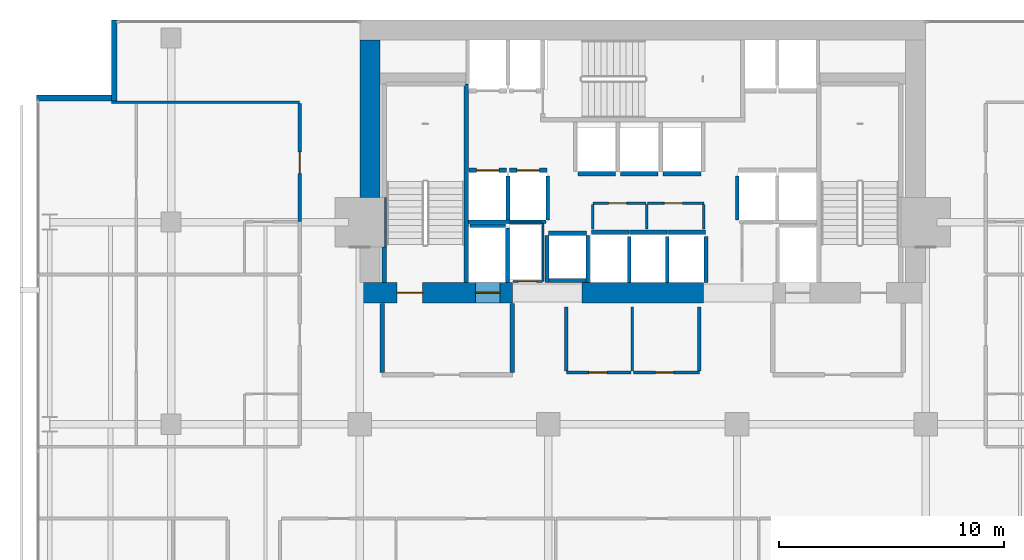
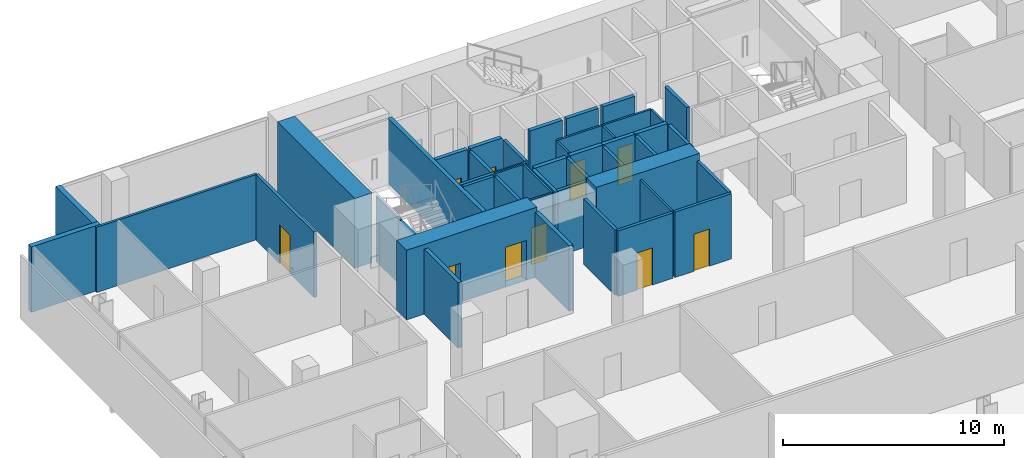
# One storey, part 36 of 40: 46 walls, 10 doors, 10 openings.
"""IFC4 building model written with IfcOpenShell, lengths in metres."""

import ifcopenshell
import ifcopenshell.guid

model = None  # the IFC model being written
_history = None  # IfcOwnerHistory: only IFC2X3 demands one
_inside = {}  # id of a spatial element -> (the spatial element, [elements in it])
_under = {}  # id of a project, library or spatial element -> (it, [spatial elements below it])
_declared = {}  # id of a project -> (the project, [libraries it declares])
_typed = {}  # id of a type object -> (the type object, [elements of that type])
_made_of = {}  # id of a material, layer set ... -> (it, [elements and type objects made of it])


def new_model(schema):
    """Start an empty IFC model of exactly this schema.

    Asked for "IFC4X3", IfcOpenShell would pick the latest addendum, in which some entities
    have other attributes; the version numbers below select the first issue.
    IFC2X3 requires an IfcOwnerHistory on every rooted entity: one is made here for all.
    """
    global model, _history
    if schema == "IFC4X3":
        model = ifcopenshell.file(schema_version=(4, 3, 0, 0))
    else:
        model = ifcopenshell.file(schema=schema)
    _inside.clear()
    _under.clear()
    _declared.clear()
    _typed.clear()
    _made_of.clear()
    _history = None
    if model.schema == "IFC2X3":
        org = make("IfcOrganization", Name="unknown")
        user = make(
            "IfcPersonAndOrganization",
            ThePerson=make("IfcPerson", FamilyName="unknown"),
            TheOrganization=org,
        )
        app = make(
            "IfcApplication",
            ApplicationDeveloper=org,
            Version="unknown",
            ApplicationFullName="unknown",
            ApplicationIdentifier="unknown",
        )
        _history = make(
            "IfcOwnerHistory",
            OwningUser=user,
            OwningApplication=app,
            ChangeAction="ADDED",
            CreationDate=0,
        )
    return model


def make(cls, **values):
    """One entity of the class cls with the attributes given. An attribute that is None is left unset."""
    return model.create_entity(
        cls, **{name: value for name, value in values.items() if value is not None}
    )


def rooted(cls, **values):
    """An entity with a GlobalId (a new one), such as an element, a storey or a relation."""
    return make(cls, GlobalId=ifcopenshell.guid.new(), OwnerHistory=_history, **values)


def si_unit(unit_type, name, prefix=None):
    """IfcSIUnit, for example si_unit("LENGTHUNIT", "METRE", prefix="MILLI")."""
    return make("IfcSIUnit", UnitType=unit_type, Prefix=prefix, Name=name)


def assignment(units):
    """IfcUnitAssignment: the units of a project."""
    return None if units is None else make("IfcUnitAssignment", Units=units)


def point(xyz):
    """IfcCartesianPoint."""
    return None if xyz is None else make("IfcCartesianPoint", Coordinates=xyz)


def direction(xyz):
    """IfcDirection."""
    return None if xyz is None else make("IfcDirection", DirectionRatios=xyz)


def frame(location, z_axis=None, x_axis=None):
    """IfcAxis2Placement3D, a coordinate frame: its origin and axes. An axis left out is left unset."""
    return make(
        "IfcAxis2Placement3D",
        Location=point(location),
        Axis=direction(z_axis),
        RefDirection=direction(x_axis),
    )


def frame_2d(location, x_axis=None):
    """IfcAxis2Placement2D, a coordinate frame in the plane: its origin and x axis."""
    return make(
        "IfcAxis2Placement2D", Location=point(location), RefDirection=direction(x_axis)
    )


def origin():
    """The frame at (0, 0, 0) with its axes left unset."""
    return frame((0.0, 0.0, 0.0))


def place(relative_to, where):
    """IfcLocalPlacement: puts the frame where relative to a parent placement (None: the world)."""
    return make(
        "IfcLocalPlacement", PlacementRelTo=relative_to, RelativePlacement=where
    )


def context(
    kind, dimensions, precision=None, world=None, true_north=None, identifier=None
):
    """IfcGeometricRepresentationContext, for example the 3D "Model" context."""
    return make(
        "IfcGeometricRepresentationContext",
        ContextIdentifier=identifier,
        ContextType=kind,
        CoordinateSpaceDimension=dimensions,
        Precision=precision,
        WorldCoordinateSystem=world,
        TrueNorth=true_north,
    )


def subcontext(parent, identifier, kind, view, scale=None):
    """IfcGeometricRepresentationSubContext, for example "Body" below "Model"."""
    return make(
        "IfcGeometricRepresentationSubContext",
        ContextIdentifier=identifier,
        ContextType=kind,
        ParentContext=parent,
        TargetScale=scale,
        TargetView=view,
    )


def project(units=None, contexts=None):
    """IfcProject with its units and contexts."""
    return rooted(
        "IfcProject",
        Name="project",
        RepresentationContexts=contexts,
        UnitsInContext=assignment(units),
    )


def spatial(cls, under=None, at=None, **own):
    """A site, building, storey or space (cls), placed at a placement, below another one or the project."""
    s = rooted(cls, ObjectPlacement=at, **own)
    if under is not None:
        _under.setdefault(under.id(), (under, []))[1].append(s)
    return s


def profile(cls, at=None, kind="AREA", **sizes):
    """A parametric profile (cls). Its sizes go by their IFC names, for example OverallWidth=200.0."""
    return make(cls, ProfileType=kind, Position=at, **sizes)


def rectangle(**sizes):
    """IfcRectangleProfileDef."""
    return profile("IfcRectangleProfileDef", **sizes)


def extrude(swept, where, along, depth):
    """IfcExtrudedAreaSolid: the profile swept, set in the frame where, extruded along a direction by depth."""
    return make(
        "IfcExtrudedAreaSolid",
        SweptArea=swept,
        Position=where,
        ExtrudedDirection=direction(along),
        Depth=depth,
    )


def shape(context_of_items, identifier, shape_type, items):
    """IfcShapeRepresentation: the items that make up one representation, for example the "Body"."""
    return make(
        "IfcShapeRepresentation",
        ContextOfItems=context_of_items,
        RepresentationIdentifier=identifier,
        RepresentationType=shape_type,
        Items=items,
    )


def material(Name=None, Category=None):
    """IfcMaterial."""
    return make("IfcMaterial", Name=Name, Category=Category)


def layer(
    of_material, thickness, ventilated=None, Name=None, Category=None, Priority=None
):
    """IfcMaterialLayer: one layer of a wall or slab, of a material (None: an air gap)."""
    return make(
        "IfcMaterialLayer",
        Material=of_material,
        LayerThickness=thickness,
        IsVentilated=ventilated,
        Name=Name,
        Category=Category,
        Priority=Priority,
    )


def layer_set(layers, Name=None):
    """IfcMaterialLayerSet."""
    return make("IfcMaterialLayerSet", MaterialLayers=layers, LayerSetName=Name)


def made_of(thing, what):
    """Note that an element or type object is made of a material, layer set ...; save() writes the relation."""
    if what is not None:
        _made_of.setdefault(what.id(), (what, []))[1].append(thing)
    return thing


def type_object(cls, material=None, **own):
    """A type object (cls), such as IfcWallType, which elements share."""
    return made_of(rooted(cls, **own), material)


def element(
    cls,
    number,
    at=None,
    inside=None,
    cuts=None,
    type_object=None,
    material=None,
    context=None,
    identifier="Body",
    shape_type=None,
    held_by="IfcProductDefinitionShape",
    body=None,
    shapes=None,
    **own,
):
    """One element of the class cls, such as IfcWall. Its Tag is "e" and its number.

    at: its placement. inside: the storey or other place that contains it. cuts: it is an
    opening in that element (IfcRelVoidsElement). A single representation is given by context,
    identifier, shape_type and body (its items); several are given by shapes. held_by: the class
    of the entity that holds the representations. save() writes the other relations.
    """
    e = rooted(cls, Tag="e%d" % number, ObjectPlacement=at, **own)
    if body is not None:
        shapes = [shape(context, identifier, shape_type, body)]
    if shapes is not None:
        e.Representation = make(held_by, Representations=shapes)
    if inside is not None:
        _inside.setdefault(inside.id(), (inside, []))[1].append(e)
    if cuts is not None:
        rooted(
            "IfcRelVoidsElement", RelatingBuildingElement=cuts, RelatedOpeningElement=e
        )
    if type_object is not None:
        _typed.setdefault(type_object.id(), (type_object, []))[1].append(e)
    return made_of(e, material)


def fill(opening, filler):
    """IfcRelFillsElement: the door or window that sits in an opening."""
    return rooted(
        "IfcRelFillsElement",
        RelatingOpeningElement=opening,
        RelatedBuildingElement=filler,
    )


def aggregate(whole, parts):
    """IfcRelAggregates: a whole, such as a stair, and the parts it consists of."""
    return rooted("IfcRelAggregates", RelatingObject=whole, RelatedObjects=parts)


def save(model, path):
    """Write the relations noted so far, then the file.

    IfcRelAggregates (storeys below a building ...), IfcRelContainedInSpatialStructure (elements
    in a storey), IfcRelDefinesByType, IfcRelAssociatesMaterial and IfcRelDeclares: one each for
    every whole, place, type object, material and project.
    """
    for whole, parts in _under.values():
        aggregate(whole, parts)
    for where, things in _inside.values():
        rooted(
            "IfcRelContainedInSpatialStructure",
            RelatedElements=things,
            RelatingStructure=where,
        )
    for kind, things in _typed.values():
        rooted("IfcRelDefinesByType", RelatedObjects=things, RelatingType=kind)
    for what, things in _made_of.values():
        rooted("IfcRelAssociatesMaterial", RelatedObjects=things, RelatingMaterial=what)
    for by, libraries in _declared.values():
        rooted("IfcRelDeclares", RelatingContext=by, RelatedDefinitions=libraries)
    model.write(path)


model = new_model("IFC4")

# Units and contexts
model_context = context("Model", 3, precision=1e-05, world=origin(), true_north=direction((0.0, 1.0)))
body_context = subcontext(model_context, "Body", "Model", "MODEL_VIEW")
ifc_project = project(units=[si_unit("LENGTHUNIT", "METRE"), si_unit("AREAUNIT", "SQUARE_METRE"), si_unit("VOLUMEUNIT", "CUBIC_METRE"), si_unit("PLANEANGLEUNIT", "RADIAN"), si_unit("MASSUNIT", "GRAM", prefix="KILO")], contexts=[model_context])

# Site, building, storey
site_placement = place(None, origin())
site = spatial("IfcSite", under=ifc_project, at=site_placement, CompositionType="ELEMENT")
building_placement = place(site_placement, origin())
building = spatial("IfcBuilding", under=site, at=building_placement, Name="Maruvema Waterfront Hotel and Observation Tower", CompositionType="ELEMENT")
storey_placement = place(building_placement, frame((0.0, 0.0, 38.5)))
storey = spatial("IfcBuildingStorey", under=building, at=storey_placement, Name="L08", CompositionType="ELEMENT", Elevation=38.5)

# Wall, opening, door
ifc_material_1 = material(Name="Twin-stud acoustic gypsum drywall", Category="gypsum")
ifc_layer_1 = layer(ifc_material_1, 0.14990234375, Name="Acoustic Corridor and Suite Demising Wall 150 mm")
ifc_layer_set_1 = layer_set([ifc_layer_1], Name="Twin-stud acoustic gypsum drywall")
wall_type_1 = type_object("IfcWallType", Name="Acoustic Corridor and Suite Demising Wall 150 mm", PredefinedType="PARTITIONING", material=ifc_layer_set_1)
wall_1_placement = place(storey_placement, frame((34.39990234375, 38.300048828125, 0.0), z_axis=(0.0, 0.0, 1.0), x_axis=(1.0, 0.0, 0.0)))
wall_1 = element("IfcWall", 1, at=wall_1_placement, inside=storey, type_object=wall_type_1, Name="L08 Core Apron K2A South 017", PredefinedType="PARTITIONING", context=body_context, shape_type="SweptSolid", body=[
    extrude(rectangle(XDim=2.880126953125, YDim=0.14990234375, at=frame_2d((1.43994140625, 0.0))), origin(), (0.0, 0.0, 1.0), 3.610107421875),
])
opening_1_placement = place(wall_1_placement, frame((1.0, 0.0, 0.0)))
opening_1 = element("IfcOpeningElement", 2, at=opening_1_placement, cuts=wall_1, Name="Opening DR-080", PredefinedType="OPENING", context=body_context, shape_type="SweptSolid", body=[
    extrude(rectangle(XDim=0.800048828125, YDim=2.050048828125, at=frame_2d((0.39990234375, 1.02490234375))), frame((0.0, 0.0849609375, 0.0), z_axis=(0.0, -1.0, 0.0), x_axis=(1.0, 0.0, 0.0)), (0.0, 0.0, 1.0), 0.169921875),
])
ifc_material_2 = material(Name="Powder-coated steel access leaf", Category="steel")
door_type_1 = type_object("IfcDoorType", Name="Riser and Service Cupboard Door 800x2050 mm", OperationType="NOTDEFINED", PredefinedType="DOOR", material=ifc_material_2)
door_1_placement = place(opening_1_placement, frame((0.800048828125, 0.0, 0.0), z_axis=(0.0, 0.0, 1.0), x_axis=(-1.0, 0.0, 0.0)))
door_1 = element("IfcDoor", 3, at=door_1_placement, inside=storey, type_object=door_type_1, Name="L08 Core Ice Alcove Door", OperationType="SINGLE_SWING_LEFT", OverallHeight=2.050048828125, OverallWidth=0.800048828125, PredefinedType="DOOR", context=body_context, shape_type="SweptSolid", body=[
    extrude(rectangle(XDim=0.800048828125, YDim=2.050048828125, at=frame_2d((0.39990234375, 1.02490234375))), frame((0.0, 0.02490234375, 0.0), z_axis=(0.0, -1.0, 0.0), x_axis=(1.0, 0.0, 0.0)), (0.0, 0.0, 1.0), 0.050048828125),
])
fill(opening_1, door_1)

wall_2_placement = place(storey_placement, frame((37.3798828125, 38.300048828125, 0.0), z_axis=(0.0, 0.0, 1.0), x_axis=(1.0, 0.0, 0.0)))
wall_2 = element("IfcWall", 4, at=wall_2_placement, inside=storey, type_object=wall_type_1, Name="L08 Core Apron K2B South 018", PredefinedType="PARTITIONING", context=body_context, shape_type="SweptSolid", body=[
    extrude(rectangle(XDim=2.940185546875, YDim=0.14990234375, at=frame_2d((1.47021484375, 0.0))), origin(), (0.0, 0.0, 1.0), 3.610107421875),
])
opening_2_placement = place(wall_2_placement, frame((1.0, 0.0, 0.0)))
opening_2 = element("IfcOpeningElement", 5, at=opening_2_placement, cuts=wall_2, Name="Opening DR-080", PredefinedType="OPENING", context=body_context, shape_type="SweptSolid", body=[
    extrude(rectangle(XDim=0.800048828125, YDim=2.050048828125, at=frame_2d((0.39990234375, 1.02490234375))), frame((0.0, 0.0849609375, 0.0), z_axis=(0.0, -1.0, 0.0), x_axis=(1.0, 0.0, 0.0)), (0.0, 0.0, 1.0), 0.169921875),
])
door_2_placement = place(opening_2_placement, frame((0.800048828125, 0.0, 0.0), z_axis=(0.0, 0.0, 1.0), x_axis=(-1.0, 0.0, 0.0)))
door_2 = element("IfcDoor", 6, at=door_2_placement, inside=storey, type_object=door_type_1, Name="L08 Core Valet Closet Door", OperationType="SINGLE_SWING_RIGHT", OverallHeight=2.050048828125, OverallWidth=0.800048828125, PredefinedType="DOOR", context=body_context, shape_type="SweptSolid", body=[
    extrude(rectangle(XDim=0.800048828125, YDim=2.050048828125, at=frame_2d((0.39990234375, 1.02490234375))), frame((0.0, 0.02490234375, 0.0), z_axis=(0.0, -1.0, 0.0), x_axis=(1.0, 0.0, 0.0)), (0.0, 0.0, 1.0), 0.050048828125),
])
fill(opening_2, door_2)

# Walls
for number, where, z_axis, x_axis, name in (
    (7, (34.39990234375, 38.3798828125, 0.0), (0.0, 0.0, 1.0), (0.0, 1.0, 0.0), "L08 Core Apron K2 West 019"),
    (8, (40.320068359375, 38.3798828125, 0.0), (0.0, 0.0, 1.0), (0.0, 1.0, 0.0), "L08 Core Apron K2 East 021"),
):
    element("IfcWall", number, at=place(storey_placement, frame(where, z_axis=z_axis, x_axis=x_axis)), inside=storey, type_object=wall_type_1, Name=name, PredefinedType="PARTITIONING", context=body_context, shape_type="SweptSolid", body=[
        extrude(rectangle(XDim=2.840087890625, YDim=0.14990234375, at=frame_2d((1.419921875, 0.0))), origin(), (0.0, 0.0, 1.0), 3.610107421875),
    ])

# Wall, opening, door
wall_3_placement = place(storey_placement, frame((22.52001953125, 45.018798828125, 0.0), z_axis=(0.0, 0.0, 1.0), x_axis=(0.0, 1.0, 0.0)))
wall_3 = element("IfcWall", 9, at=wall_3_placement, inside=storey, type_object=wall_type_1, Name="L08 Room L08-NW2 Corridor Wall 140", PredefinedType="PARTITIONING", context=body_context, shape_type="SweptSolid", body=[
    extrude(rectangle(XDim=5.2587890625, YDim=0.14990234375, at=frame_2d((2.62939453125, 0.0))), origin(), (0.0, 0.0, 1.0), 3.610107421875),
])
opening_3_placement = place(wall_3_placement, frame((2.154296875, 0.0, 0.0)))
opening_3 = element("IfcOpeningElement", 10, at=opening_3_placement, cuts=wall_3, Name="Opening DR-095", PredefinedType="OPENING", context=body_context, shape_type="SweptSolid", body=[
    extrude(rectangle(XDim=0.949951171875, YDim=2.14990234375, at=frame_2d((0.47509765625, 1.074951171875))), frame((0.0, 0.0849609375, 0.0), z_axis=(0.0, -1.0, 0.0), x_axis=(1.0, 0.0, 0.0)), (0.0, 0.0, 1.0), 0.169921875),
])
ifc_material_3 = material(Name="Acoustic solid-core hardwood timber leaf", Category="wood")
door_type_2 = type_object("IfcDoorType", Name="Guestroom Entrance Fire Door 950x2150 mm", OperationType="NOTDEFINED", PredefinedType="DOOR", material=ifc_material_3)
door_3_placement = place(opening_3_placement, origin())
door_3 = element("IfcDoor", 11, at=door_3_placement, inside=storey, type_object=door_type_2, Name="L08 Room L08-NW2 Entrance Door", OperationType="SINGLE_SWING_RIGHT", OverallHeight=2.14990234375, OverallWidth=0.949951171875, PredefinedType="DOOR", context=body_context, shape_type="SweptSolid", body=[
    extrude(rectangle(XDim=0.949951171875, YDim=2.14990234375, at=frame_2d((0.47509765625, 1.074951171875))), frame((0.0, 0.02490234375, 0.0), z_axis=(0.0, -1.0, 0.0), x_axis=(1.0, 0.0, 0.0)), (0.0, 0.0, 1.0), 0.050048828125),
])
fill(opening_3, door_3)

# Walls
ifc_material_4 = material(Name="Precast concrete C45/55", Category="concrete")
ifc_layer_2 = layer(ifc_material_4, 0.199951171875, Name="Core Shaft and Stairwell Enclosure Wall 200 mm")
ifc_layer_set_2 = layer_set([ifc_layer_2], Name="Precast concrete C45/55")
wall_type_2 = type_object("IfcWallType", Name="Core Shaft and Stairwell Enclosure Wall 200 mm", PredefinedType="SOLIDWALL", material=ifc_layer_set_2)
wall_4_placement = place(storey_placement, frame((29.949951171875, 42.300048828125, 0.0), z_axis=(0.0, 0.0, 1.0), x_axis=(0.0, 1.0, 0.0)))
element("IfcWall", 12, at=wall_4_placement, inside=storey, type_object=wall_type_2, Name="L08 Stairwell ST-01 East Shaft Wall", PredefinedType="SOLIDWALL", context=body_context, shape_type="SweptSolid", body=[
    extrude(rectangle(XDim=8.849853515625, YDim=0.199951171875, at=frame_2d((4.4248046875, 0.0))), origin(), (0.0, 0.0, 1.0), 3.610107421875),
])
wall_5_placement = place(storey_placement, frame((26.300048828125, 42.300048828125, 0.0), z_axis=(0.0, 0.0, 1.0), x_axis=(0.0, 1.0, 0.0)))
element("IfcWall", 13, at=wall_5_placement, inside=storey, type_object=wall_type_2, Name="L08 Stairwell ST-01 Shaft Lining Wall", PredefinedType="SOLIDWALL", context=body_context, shape_type="SweptSolid", body=[
    extrude(rectangle(XDim=1.579833984375, YDim=0.199951171875, at=frame_2d((0.7900390625, 0.0))), origin(), (0.0, 0.0, 1.0), 3.610107421875),
])

# Wall, opening, door
wall_6_placement = place(storey_placement, frame((30.06005859375, 47.300048828125, 0.0), z_axis=(0.0, 0.0, 1.0), x_axis=(1.0, 0.0, 0.0)))
wall_6 = element("IfcWall", 14, at=wall_6_placement, inside=storey, type_object=wall_type_2, Name="L08 Lift LF-01 Hoistway Front Wall", PredefinedType="SOLIDWALL", context=body_context, shape_type="SweptSolid", body=[
    extrude(rectangle(XDim=1.679931640625, YDim=0.199951171875, at=frame_2d((0.83984375, 0.0))), origin(), (0.0, 0.0, 1.0), 3.610107421875),
])
opening_4_placement = place(wall_6_placement, frame((0.340087890625, 0.0, 0.0)))
opening_4 = element("IfcOpeningElement", 15, at=opening_4_placement, cuts=wall_6, Name="Opening LD-01", PredefinedType="OPENING", context=body_context, shape_type="SweptSolid", body=[
    extrude(rectangle(XDim=1.0, YDim=2.14990234375, at=frame_2d((0.5, 1.074951171875))), frame((0.0, 0.10986328125, 0.0), z_axis=(0.0, -1.0, 0.0), x_axis=(1.0, 0.0, 0.0)), (0.0, 0.0, 1.0), 0.219970703125),
])
ifc_material_5 = material(Name="Brushed stainless steel Grade 316", Category="steel")
door_type_3 = type_object("IfcDoorType", Name="Passenger Lift Sliding Landing Door 1000x2150 mm", OperationType="SLIDING_TO_LEFT", PredefinedType="DOOR", material=ifc_material_5)
door_4_placement = place(opening_4_placement, origin())
door_4 = element("IfcDoor", 16, at=door_4_placement, inside=storey, type_object=door_type_3, Name="L08 Lift LF-01 Sliding Landing Door", OperationType="SLIDING_TO_LEFT", OverallHeight=2.14990234375, OverallWidth=1.0, PredefinedType="DOOR", context=body_context, shape_type="SweptSolid", body=[
    extrude(rectangle(XDim=1.0, YDim=2.14990234375, at=frame_2d((0.5, 1.074951171875))), frame((0.0, 0.02490234375, 0.0), z_axis=(0.0, -1.0, 0.0), x_axis=(1.0, 0.0, 0.0)), (0.0, 0.0, 1.0), 0.050048828125),
])
fill(opening_4, door_4)

wall_7_placement = place(storey_placement, frame((31.860107421875, 47.300048828125, 0.0), z_axis=(0.0, 0.0, 1.0), x_axis=(1.0, 0.0, 0.0)))
wall_7 = element("IfcWall", 17, at=wall_7_placement, inside=storey, type_object=wall_type_2, Name="L08 Lift LF-02 Hoistway Front Wall", PredefinedType="SOLIDWALL", context=body_context, shape_type="SweptSolid", body=[
    extrude(rectangle(XDim=1.679931640625, YDim=0.199951171875, at=frame_2d((0.83984375, 0.0))), origin(), (0.0, 0.0, 1.0), 3.610107421875),
])
opening_5_placement = place(wall_7_placement, frame((0.340087890625, 0.0, 0.0)))
opening_5 = element("IfcOpeningElement", 18, at=opening_5_placement, cuts=wall_7, Name="Opening LD-01", PredefinedType="OPENING", context=body_context, shape_type="SweptSolid", body=[
    extrude(rectangle(XDim=1.0, YDim=2.14990234375, at=frame_2d((0.5, 1.074951171875))), frame((0.0, 0.10986328125, 0.0), z_axis=(0.0, -1.0, 0.0), x_axis=(1.0, 0.0, 0.0)), (0.0, 0.0, 1.0), 0.219970703125),
])
door_5_placement = place(opening_5_placement, origin())
door_5 = element("IfcDoor", 19, at=door_5_placement, inside=storey, type_object=door_type_3, Name="L08 Lift LF-02 Sliding Landing Door", OperationType="SLIDING_TO_LEFT", OverallHeight=2.14990234375, OverallWidth=1.0, PredefinedType="DOOR", context=body_context, shape_type="SweptSolid", body=[
    extrude(rectangle(XDim=1.0, YDim=2.14990234375, at=frame_2d((0.5, 1.074951171875))), frame((0.0, 0.02490234375, 0.0), z_axis=(0.0, -1.0, 0.0), x_axis=(1.0, 0.0, 0.0)), (0.0, 0.0, 1.0), 0.050048828125),
])
fill(opening_5, door_5)

# Walls
for number, where, z_axis, x_axis, name in (
    (20, (35.510009765625, 44.550048828125, 0.0), (0.0, 0.0, 1.0), (1.0, 0.0, 0.0), "L08 Lift LF-09 Hoistway Front Wall"),
    (21, (37.2099609375, 44.550048828125, 0.0), (0.0, 0.0, 1.0), (1.0, 0.0, 0.0), "L08 Lift LF-10 Hoistway Front Wall"),
):
    element("IfcWall", number, at=place(storey_placement, frame(where, z_axis=z_axis, x_axis=x_axis)), inside=storey, type_object=wall_type_2, Name=name, PredefinedType="SOLIDWALL", context=body_context, shape_type="SweptSolid", body=[
        extrude(rectangle(XDim=1.679931640625, YDim=0.199951171875, at=frame_2d((0.83984375, 0.0))), origin(), (0.0, 0.0, 1.0), 3.610107421875),
    ])
for number, where, z_axis, x_axis, name in (
    (22, (38.909912109375, 44.550048828125, 0.0), (0.0, 0.0, 1.0), (1.0, 0.0, 0.0), "L08 Lift LF-11 Hoistway Front Wall"),
    (23, (34.909912109375, 47.14990234375, 0.0), (0.0, 0.0, 1.0), (1.0, 0.0, 0.0), "L08 Lift LF-12 Hoistway Front Wall"),
):
    element("IfcWall", number, at=place(storey_placement, frame(where, z_axis=z_axis, x_axis=x_axis)), inside=storey, type_object=wall_type_2, Name=name, PredefinedType="SOLIDWALL", context=body_context, shape_type="SweptSolid", body=[
        extrude(rectangle(XDim=1.68017578125, YDim=0.199951171875, at=frame_2d((0.840087890625, 0.0))), origin(), (0.0, 0.0, 1.0), 3.610107421875),
    ])
for number, where, z_axis, x_axis, name in (
    (24, (36.81005859375, 47.14990234375, 0.0), (0.0, 0.0, 1.0), (1.0, 0.0, 0.0), "L08 Lift LF-13 Hoistway Front Wall"),
    (25, (38.7099609375, 47.14990234375, 0.0), (0.0, 0.0, 1.0), (1.0, 0.0, 0.0), "L08 Lift LF-14 Hoistway Front Wall"),
    (26, (33.610107421875, 44.5, 0.0), (0.0, 0.0, 1.0), (1.0, 0.0, 0.0), "L08 Lift LF-15 Hoistway Front Wall"),
):
    element("IfcWall", number, at=place(storey_placement, frame(where, z_axis=z_axis, x_axis=x_axis)), inside=storey, type_object=wall_type_2, Name=name, PredefinedType="SOLIDWALL", context=body_context, shape_type="SweptSolid", body=[
        extrude(rectangle(XDim=1.679931640625, YDim=0.199951171875, at=frame_2d((0.83984375, 0.0))), origin(), (0.0, 0.0, 1.0), 3.610107421875),
    ])

# Wall, openings, doors
ifc_material_6 = material(Name="Concrete C80/95", Category="concrete")
ifc_layer_3 = layer(ifc_material_6, 0.89990234375, Name="Core Shear Wall 900 mm")
ifc_layer_set_3 = layer_set([ifc_layer_3], Name="Concrete C80/95")
wall_type_3 = type_object("IfcWallType", Name="Core Shear Wall 900 mm", PredefinedType="SHEAR", material=ifc_layer_set_3)
wall_8_placement = place(storey_placement, frame((25.199951171875, 41.85009765625, 0.0), z_axis=(0.0, 0.0, 1.0), x_axis=(1.0, 0.0, 0.0)))
wall_8 = element("IfcWall", 27, at=wall_8_placement, inside=storey, type_object=wall_type_3, Name="L08 South-West Core Shear Wall", PredefinedType="SHEAR", context=body_context, shape_type="SweptSolid", body=[
    extrude(rectangle(XDim=6.800048828125, YDim=0.89990234375, at=frame_2d((3.39990234375, 0.0))), origin(), (0.0, 0.0, 1.0), 3.85009765625),
])
opening_6_placement = place(wall_8_placement, frame((1.64990234375, 0.0, 0.0)))
opening_6 = element("IfcOpeningElement", 28, at=opening_6_placement, cuts=wall_8, Name="Opening SD-01", PredefinedType="OPENING", context=body_context, shape_type="SweptSolid", body=[
    extrude(rectangle(XDim=1.14990234375, YDim=2.14990234375, at=frame_2d((0.574951171875, 1.074951171875))), frame((0.0, 0.4599609375, 0.0), z_axis=(0.0, -1.0, 0.0), x_axis=(1.0, 0.0, 0.0)), (0.0, 0.0, 1.0), 0.919921875),
])
opening_7_placement = place(wall_8_placement, frame((5.14990234375, 0.0, 0.0)))
opening_7 = element("IfcOpeningElement", 29, at=opening_7_placement, cuts=wall_8, Name="Opening LD-03", PredefinedType="OPENING", context=body_context, shape_type="SweptSolid", body=[
    extrude(rectangle(XDim=1.10009765625, YDim=2.199951171875, at=frame_2d((0.550048828125, 1.10009765625))), frame((0.0, 0.4599609375, 0.0), z_axis=(0.0, -1.0, 0.0), x_axis=(1.0, 0.0, 0.0)), (0.0, 0.0, 1.0), 0.919921875),
])
ifc_material_7 = material(Name="Fire-rated galvanised steel leaf", Category="steel")
door_type_4 = type_object("IfcDoorType", Name="Exit Stair Fire Door 1150x2150 mm", OperationType="NOTDEFINED", PredefinedType="DOOR", material=ifc_material_7)
door_6_placement = place(opening_6_placement, origin())
door_6 = element("IfcDoor", 30, at=door_6_placement, inside=storey, type_object=door_type_4, Name="L08 Exit Stair ST-01 Fire Door", OperationType="SINGLE_SWING_LEFT", OverallHeight=2.14990234375, OverallWidth=1.14990234375, PredefinedType="DOOR", context=body_context, shape_type="SweptSolid", body=[
    extrude(rectangle(XDim=1.14990234375, YDim=2.14990234375, at=frame_2d((0.574951171875, 1.074951171875))), frame((0.0, 0.02490234375, 0.0), z_axis=(0.0, -1.0, 0.0), x_axis=(1.0, 0.0, 0.0)), (0.0, 0.0, 1.0), 0.050048828125),
])
fill(opening_6, door_6)
ifc_material_8 = material(Name="Brushed stainless steel Grade 316", Category="steel")
door_type_5 = type_object("IfcDoorType", Name="Firefighting Lift Sliding Landing Door 1100x2200 mm", OperationType="SLIDING_TO_LEFT", PredefinedType="DOOR", material=ifc_material_8)
door_7_placement = place(opening_7_placement, frame((1.10009765625, 0.0, 0.0), z_axis=(0.0, 0.0, 1.0), x_axis=(-1.0, 0.0, 0.0)))
door_7 = element("IfcDoor", 31, at=door_7_placement, inside=storey, type_object=door_type_5, Name="L08 Firefighting Lift FL-01 Landing Door", OperationType="SLIDING_TO_LEFT", OverallHeight=2.199951171875, OverallWidth=1.10009765625, PredefinedType="DOOR", context=body_context, shape_type="SweptSolid", body=[
    extrude(rectangle(XDim=1.10009765625, YDim=2.199951171875, at=frame_2d((0.550048828125, 1.10009765625))), frame((0.0, 0.02490234375, 0.0), z_axis=(0.0, -1.0, 0.0), x_axis=(1.0, 0.0, 0.0)), (0.0, 0.0, 1.0), 0.050048828125),
])
fill(opening_7, door_7)

# Walls
wall_9_placement = place(storey_placement, frame((35.10009765625, 41.85009765625, 0.0), z_axis=(0.0, 0.0, 1.0), x_axis=(1.0, 0.0, 0.0)))
element("IfcWall", 32, at=wall_9_placement, inside=storey, type_object=wall_type_3, Name="L08 South-Central Core Shear Wall", PredefinedType="SHEAR", context=body_context, shape_type="SweptSolid", body=[
    extrude(rectangle(XDim=5.39990234375, YDim=0.89990234375, at=frame_2d((2.699951171875, 0.0))), origin(), (0.0, 0.0, 1.0), 3.85009765625),
])
wall_10_placement = place(storey_placement, frame((25.64990234375, 46.10009765625, 0.0), z_axis=(0.0, 0.0, 1.0), x_axis=(0.0, 1.0, 0.0)))
element("IfcWall", 33, at=wall_10_placement, inside=storey, type_object=wall_type_3, Name="L08 West-North Core Shear Wall", PredefinedType="SHEAR", context=body_context, shape_type="SweptSolid", body=[
    extrude(rectangle(XDim=7.0, YDim=0.89990234375, at=frame_2d((3.5, 0.0))), origin(), (0.0, 0.0, 1.0), 3.85009765625),
])

# Wall, opening, door
ifc_material_9 = material(Name="Moisture-resistant cement-board drywall", Category="gypsum")
ifc_layer_4 = layer(ifc_material_9, 0.10009765625, Name="En-Suite Moisture-Resistant Partition 100 mm")
ifc_layer_set_4 = layer_set([ifc_layer_4], Name="Moisture-resistant cement-board drywall")
wall_type_4 = type_object("IfcWallType", Name="En-Suite Moisture-Resistant Partition 100 mm", PredefinedType="PARTITIONING", material=ifc_layer_set_4)
wall_11_placement = place(storey_placement, frame((32.02001953125, 42.360107421875, 0.0), z_axis=(0.0, 0.0, 1.0), x_axis=(1.0, 0.0, 0.0)))
wall_11 = element("IfcWall", 34, at=wall_11_placement, inside=storey, type_object=wall_type_4, Name="L08 Telecom Riser South Wall 007", PredefinedType="PARTITIONING", context=body_context, shape_type="SweptSolid", body=[
    extrude(rectangle(XDim=1.320068359375, YDim=0.10009765625, at=frame_2d((0.66015625, 0.0))), origin(), (0.0, 0.0, 1.0), 3.610107421875),
])
opening_8_placement = place(wall_11_placement, frame((0.239990234375, 0.0, 0.0)))
opening_8 = element("IfcOpeningElement", 35, at=opening_8_placement, cuts=wall_11, Name="Opening DR-080", PredefinedType="OPENING", context=body_context, shape_type="SweptSolid", body=[
    extrude(rectangle(XDim=0.800048828125, YDim=2.050048828125, at=frame_2d((0.39990234375, 1.02490234375))), frame((0.0, 0.06005859375, 0.0), z_axis=(0.0, -1.0, 0.0), x_axis=(1.0, 0.0, 0.0)), (0.0, 0.0, 1.0), 0.1201171875),
])
door_8_placement = place(opening_8_placement, frame((0.800048828125, 0.0, 0.0), z_axis=(0.0, 0.0, 1.0), x_axis=(-1.0, 0.0, 0.0)))
door_8 = element("IfcDoor", 36, at=door_8_placement, inside=storey, type_object=door_type_1, Name="L08 Telecom Riser Door", OperationType="SINGLE_SWING_LEFT", OverallHeight=2.050048828125, OverallWidth=0.800048828125, PredefinedType="DOOR", context=body_context, shape_type="SweptSolid", body=[
    extrude(rectangle(XDim=0.800048828125, YDim=2.050048828125, at=frame_2d((0.39990234375, 1.02490234375))), frame((0.0, 0.02490234375, 0.0), z_axis=(0.0, -1.0, 0.0), x_axis=(1.0, 0.0, 0.0)), (0.0, 0.0, 1.0), 0.050048828125),
])
fill(opening_8, door_8)

# Walls
wall_12_placement = place(storey_placement, frame((31.840087890625, 44.9599609375, 0.0), z_axis=(0.0, 0.0, 1.0), x_axis=(1.0, 0.0, 0.0)))
element("IfcWall", 37, at=wall_12_placement, inside=storey, type_object=wall_type_4, Name="L08 Telecom Riser North Wall 008", PredefinedType="PARTITIONING", context=body_context, shape_type="SweptSolid", body=[
    extrude(rectangle(XDim=1.47998046875, YDim=0.10009765625, at=frame_2d((0.739990234375, 0.0))), origin(), (0.0, 0.0, 1.0), 3.610107421875),
])
wall_13_placement = place(storey_placement, frame((33.360107421875, 42.360107421875, 0.0), z_axis=(0.0, 0.0, 1.0), x_axis=(0.0, 1.0, 0.0)))
element("IfcWall", 38, at=wall_13_placement, inside=storey, type_object=wall_type_4, Name="L08 Telecom Riser East Wall 009", PredefinedType="PARTITIONING", context=body_context, shape_type="SweptSolid", body=[
    extrude(rectangle(XDim=2.579833984375, YDim=0.10009765625, at=frame_2d((1.2900390625, 0.0))), origin(), (0.0, 0.0, 1.0), 3.610107421875),
])

# Wall, opening, door
wall_14_placement = place(storey_placement, frame((35.580078125, 45.840087890625, 0.0), z_axis=(0.0, 0.0, 1.0), x_axis=(1.0, 0.0, 0.0)))
wall_14 = element("IfcWall", 39, at=wall_14_placement, inside=storey, type_object=wall_type_4, Name="L08 Core Closet K2A North 010", PredefinedType="PARTITIONING", context=body_context, shape_type="SweptSolid", body=[
    extrude(rectangle(XDim=2.35986328125, YDim=0.10009765625, at=frame_2d((1.179931640625, 0.0))), origin(), (0.0, 0.0, 1.0), 3.610107421875),
])
opening_9_placement = place(wall_14_placement, frame((0.699951171875, 0.0, 0.0)))
opening_9 = element("IfcOpeningElement", 40, at=opening_9_placement, cuts=wall_14, Name="Opening DR-080", PredefinedType="OPENING", context=body_context, shape_type="SweptSolid", body=[
    extrude(rectangle(XDim=0.800048828125, YDim=2.050048828125, at=frame_2d((0.39990234375, 1.02490234375))), frame((0.0, 0.06005859375, 0.0), z_axis=(0.0, -1.0, 0.0), x_axis=(1.0, 0.0, 0.0)), (0.0, 0.0, 1.0), 0.1201171875),
])
door_9_placement = place(opening_9_placement, origin())
door_9 = element("IfcDoor", 41, at=door_9_placement, inside=storey, type_object=door_type_1, Name="L08 Core IT Closet Door", OperationType="SINGLE_SWING_RIGHT", OverallHeight=2.050048828125, OverallWidth=0.800048828125, PredefinedType="DOOR", context=body_context, shape_type="SweptSolid", body=[
    extrude(rectangle(XDim=0.800048828125, YDim=2.050048828125, at=frame_2d((0.39990234375, 1.02490234375))), frame((0.0, 0.02490234375, 0.0), z_axis=(0.0, -1.0, 0.0), x_axis=(1.0, 0.0, 0.0)), (0.0, 0.0, 1.0), 0.050048828125),
])
fill(opening_9, door_9)

wall_15_placement = place(storey_placement, frame((38.02001953125, 45.840087890625, 0.0), z_axis=(0.0, 0.0, 1.0), x_axis=(1.0, 0.0, 0.0)))
wall_15 = element("IfcWall", 42, at=wall_15_placement, inside=storey, type_object=wall_type_4, Name="L08 Core Closet K2B North 011", PredefinedType="PARTITIONING", context=body_context, shape_type="SweptSolid", body=[
    extrude(rectangle(XDim=2.5, YDim=0.10009765625, at=frame_2d((1.25, 0.0))), origin(), (0.0, 0.0, 1.0), 3.610107421875),
])
opening_10_placement = place(wall_15_placement, frame((0.75, 0.0, 0.0)))
opening_10 = element("IfcOpeningElement", 43, at=opening_10_placement, cuts=wall_15, Name="Opening DR-080", PredefinedType="OPENING", context=body_context, shape_type="SweptSolid", body=[
    extrude(rectangle(XDim=0.800048828125, YDim=2.050048828125, at=frame_2d((0.39990234375, 1.02490234375))), frame((0.0, 0.06005859375, 0.0), z_axis=(0.0, -1.0, 0.0), x_axis=(1.0, 0.0, 0.0)), (0.0, 0.0, 1.0), 0.1201171875),
])
door_10_placement = place(opening_10_placement, origin())
door_10 = element("IfcDoor", 44, at=door_10_placement, inside=storey, type_object=door_type_1, Name="L08 Core Linen Cupboard Door", OperationType="SINGLE_SWING_LEFT", OverallHeight=2.050048828125, OverallWidth=0.800048828125, PredefinedType="DOOR", context=body_context, shape_type="SweptSolid", body=[
    extrude(rectangle(XDim=0.800048828125, YDim=2.050048828125, at=frame_2d((0.39990234375, 1.02490234375))), frame((0.0, 0.02490234375, 0.0), z_axis=(0.0, -1.0, 0.0), x_axis=(1.0, 0.0, 0.0)), (0.0, 0.0, 1.0), 0.050048828125),
])
fill(opening_10, door_10)

# Walls
for number, where, z_axis, x_axis, name in (
    (45, (35.580078125, 44.699951171875, 0.0), (0.0, 0.0, 1.0), (0.0, 1.0, 0.0), "L08 Core Closet K2 West 012"),
    (46, (37.97998046875, 44.699951171875, 0.0), (0.0, 0.0, 1.0), (0.0, 1.0, 0.0), "L08 Core Closet K2 Mid 013"),
    (47, (40.52001953125, 44.699951171875, 0.0), (0.0, 0.0, 1.0), (0.0, 1.0, 0.0), "L08 Core Closet K2 East 014"),
):
    element("IfcWall", number, at=place(storey_placement, frame(where, z_axis=z_axis, x_axis=x_axis)), inside=storey, type_object=wall_type_4, Name=name, PredefinedType="PARTITIONING", context=body_context, shape_type="SweptSolid", body=[
        extrude(rectangle(XDim=1.080078125, YDim=0.10009765625, at=frame_2d((0.5400390625, 0.0))), origin(), (0.0, 0.0, 1.0), 3.610107421875),
    ])
wall_16_placement = place(storey_placement, frame((37.330078125, 38.3798828125, 0.0), z_axis=(0.0, 0.0, 1.0), x_axis=(0.0, 1.0, 0.0)))
element("IfcWall", 48, at=wall_16_placement, inside=storey, type_object=wall_type_4, Name="L08 Core Apron K2 Split 020", PredefinedType="PARTITIONING", context=body_context, shape_type="SweptSolid", body=[
    extrude(rectangle(XDim=2.840087890625, YDim=0.10009765625, at=frame_2d((1.419921875, 0.0))), origin(), (0.0, 0.0, 1.0), 3.610107421875),
])
ifc_material_10 = material(Name="Precast concrete C45/55 with honed Pernambuco granite facing", Category="masonry")
ifc_layer_5 = layer(ifc_material_10, 0.260009765625, Name="Exterior Granite Clad Spandrel and Pier Wall 260 mm")
ifc_layer_set_5 = layer_set([ifc_layer_5], Name="Precast concrete C45/55 with honed Pernambuco granite facing")
wall_type_5 = type_object("IfcWallType", Name="Exterior Granite Clad Spandrel and Pier Wall 260 mm", PredefinedType="SOLIDWALL", material=ifc_layer_set_5)
wall_17_placement = place(storey_placement, frame((14.27001953125, 50.39990234375, 0.0), z_axis=(0.0, 0.0, 1.0), x_axis=(0.0, 1.0, 0.0)))
element("IfcWall", 49, at=wall_17_placement, inside=storey, type_object=wall_type_5, Name="L08 Corner Notch Granite Pier Wall NW1", PredefinedType="SOLIDWALL", context=body_context, shape_type="SweptSolid", body=[
    extrude(rectangle(XDim=3.60009765625, YDim=0.260009765625, at=frame_2d((1.800048828125, 0.0))), origin(), (0.0, 0.0, 1.0), 3.610107421875),
])
wall_18_placement = place(storey_placement, frame((10.800048828125, 50.530029296875, 0.0), z_axis=(0.0, 0.0, 1.0), x_axis=(1.0, 0.0, 0.0)))
element("IfcWall", 50, at=wall_18_placement, inside=storey, type_object=wall_type_5, Name="L08 Corner Notch Granite Pier Wall NW2", PredefinedType="SOLIDWALL", context=body_context, shape_type="SweptSolid", body=[
    extrude(rectangle(XDim=3.599853515625, YDim=0.260009765625, at=frame_2d((1.7998046875, 0.0))), origin(), (0.0, 0.0, 1.0), 3.610107421875),
])
ifc_material_11 = material(Name="Autoclaved cellular concrete blockwork", Category="masonry")
ifc_layer_6 = layer(ifc_material_11, 0.199951171875, Name="Fire Compartment Masonry Wall 200 mm")
ifc_layer_set_6 = layer_set([ifc_layer_6], Name="Autoclaved cellular concrete blockwork")
wall_type_6 = type_object("IfcWallType", Name="Fire Compartment Masonry Wall 200 mm", PredefinedType="PARTITIONING", material=ifc_layer_set_6)
for number, where, z_axis, x_axis, name in (
    (51, (26.199951171875, 38.31005859375, 0.0), (0.0, 0.0, 1.0), (0.0, 1.0, 0.0), "L08 FFL West West Wall 002"),
    (52, (32.0, 38.31005859375, 0.0), (0.0, 0.0, 1.0), (0.0, 1.0, 0.0), "L08 FFL West East Wall 003"),
):
    element("IfcWall", number, at=place(storey_placement, frame(where, z_axis=z_axis, x_axis=x_axis)), inside=storey, type_object=wall_type_6, Name=name, PredefinedType="PARTITIONING", context=body_context, shape_type="SweptSolid", body=[
        extrude(rectangle(XDim=3.06982421875, YDim=0.199951171875, at=frame_2d((1.534912109375, 0.0))), origin(), (0.0, 0.0, 1.0), 3.610107421875),
    ])
ifc_material_12 = material(Name="Acoustic gypsum plasterboard drywall", Category="gypsum")
ifc_layer_7 = layer(ifc_material_12, 0.125, Name="Guestroom Acoustic Demising Wall 125 mm")
ifc_layer_set_7 = layer_set([ifc_layer_7], Name="Acoustic gypsum plasterboard drywall")
wall_type_7 = type_object("IfcWallType", Name="Guestroom Acoustic Demising Wall 125 mm", PredefinedType="PARTITIONING", material=ifc_layer_set_7)
wall_19_placement = place(storey_placement, frame((14.139892578125, 50.33740234375, 0.0), z_axis=(0.0, 0.0, 1.0), x_axis=(1.0, 0.0, 0.0)))
element("IfcWall", 53, at=wall_19_placement, inside=storey, type_object=wall_type_7, Name="L08 NW Top End 125", PredefinedType="PARTITIONING", context=body_context, shape_type="SweptSolid", body=[
    extrude(rectangle(XDim=8.380126953125, YDim=0.125, at=frame_2d((4.18994140625, 0.0))), origin(), (0.0, 0.0, 1.0), 3.610107421875),
])
ifc_material_13 = material(Name="Precast concrete C45/55", Category="concrete")
ifc_layer_8 = layer(ifc_material_13, 0.159912109375, Name="Lift Hoistway Divider Wall 160 mm")
ifc_layer_set_8 = layer_set([ifc_layer_8], Name="Precast concrete C45/55")
wall_type_8 = type_object("IfcWallType", Name="Lift Hoistway Divider Wall 160 mm", PredefinedType="SOLIDWALL", material=ifc_layer_set_8)
wall_20_placement = place(storey_placement, frame((30.10009765625, 44.830078125, 0.0), z_axis=(0.0, 0.0, 1.0), x_axis=(1.0, 0.0, 0.0)))
element("IfcWall", 54, at=wall_20_placement, inside=storey, type_object=wall_type_8, Name="L08 Lift FL-01 Rear Hoistway Wall", PredefinedType="SOLIDWALL", context=body_context, shape_type="SweptSolid", body=[
    extrude(rectangle(XDim=1.599853515625, YDim=0.159912109375, at=frame_2d((0.7998046875, 0.0))), origin(), (0.0, 0.0, 1.0), 3.610107421875),
])
wall_21_placement = place(storey_placement, frame((31.780029296875, 42.300048828125, 0.0), z_axis=(0.0, 0.0, 1.0), x_axis=(0.0, 1.0, 0.0)))
element("IfcWall", 55, at=wall_21_placement, inside=storey, type_object=wall_type_8, Name="L08 Lift FL-01 Inner Hoistway Wall", PredefinedType="SOLIDWALL", context=body_context, shape_type="SweptSolid", body=[
    extrude(rectangle(XDim=2.43994140625, YDim=0.159912109375, at=frame_2d((1.219970703125, 0.0))), origin(), (0.0, 0.0, 1.0), 3.610107421875),
])
for number, where, z_axis, x_axis, name in (
    (56, (31.800048828125, 45.10009765625, 0.0), (0.0, 0.0, 1.0), (0.0, 1.0, 0.0), "L08 Hoistway Divider Wall"),
    (57, (33.580078125, 45.10009765625, 0.0), (0.0, 0.0, 1.0), (0.0, 1.0, 0.0), "L08 Hoistway Divider Wall"),
):
    element("IfcWall", number, at=place(storey_placement, frame(where, z_axis=z_axis, x_axis=x_axis)), inside=storey, type_object=wall_type_8, Name=name, PredefinedType="SOLIDWALL", context=body_context, shape_type="SweptSolid", body=[
        extrude(rectangle(XDim=1.949951171875, YDim=0.159912109375, at=frame_2d((0.97509765625, 0.0))), origin(), (0.0, 0.0, 1.0), 3.610107421875),
    ])
wall_22_placement = place(storey_placement, frame((30.050048828125, 45.010009765625, 0.0), z_axis=(0.0, 0.0, 1.0), x_axis=(1.0, 0.0, 0.0)))
element("IfcWall", 58, at=wall_22_placement, inside=storey, type_object=wall_type_8, Name="L08 Hoistway Divider Wall", PredefinedType="SOLIDWALL", context=body_context, shape_type="SweptSolid", body=[
    extrude(rectangle(XDim=3.449951171875, YDim=0.159912109375, at=frame_2d((1.72509765625, 0.0))), origin(), (0.0, 0.0, 1.0), 3.610107421875),
])
wall_23_placement = place(storey_placement, frame((42.02001953125, 45.10009765625, 0.0), z_axis=(0.0, 0.0, 1.0), x_axis=(0.0, 1.0, 0.0)))
element("IfcWall", 59, at=wall_23_placement, inside=storey, type_object=wall_type_8, Name="L08 Hoistway Divider Wall", PredefinedType="SOLIDWALL", context=body_context, shape_type="SweptSolid", body=[
    extrude(rectangle(XDim=1.949951171875, YDim=0.159912109375, at=frame_2d((0.97509765625, 0.0))), origin(), (0.0, 0.0, 1.0), 3.610107421875),
])
for number, where, z_axis, x_axis, name in (
    (60, (37.199951171875, 42.300048828125, 0.0), (0.0, 0.0, 1.0), (0.0, 1.0, 0.0), "L08 Hoistway Divider Wall"),
    (61, (38.89990234375, 42.300048828125, 0.0), (0.0, 0.0, 1.0), (0.0, 1.0, 0.0), "L08 Hoistway Divider Wall"),
    (62, (40.6201171875, 42.300048828125, 0.0), (0.0, 0.0, 1.0), (0.0, 1.0, 0.0), "L08 Hoistway Divider Wall"),
):
    element("IfcWall", number, at=place(storey_placement, frame(where, z_axis=z_axis, x_axis=x_axis)), inside=storey, type_object=wall_type_8, Name=name, PredefinedType="SOLIDWALL", context=body_context, shape_type="SweptSolid", body=[
        extrude(rectangle(XDim=2.050048828125, YDim=0.159912109375, at=frame_2d((1.02490234375, 0.0))), origin(), (0.0, 0.0, 1.0), 3.610107421875),
    ])
for number, where, z_axis, x_axis, name in (
    (63, (33.5400390625, 42.300048828125, 0.0), (0.0, 0.0, 1.0), (0.0, 1.0, 0.0), "L08 Hoistway Divider Wall"),
    (64, (35.360107421875, 42.300048828125, 0.0), (0.0, 0.0, 1.0), (0.0, 1.0, 0.0), "L08 Hoistway Divider Wall"),
):
    element("IfcWall", number, at=place(storey_placement, frame(where, z_axis=z_axis, x_axis=x_axis)), inside=storey, type_object=wall_type_8, Name=name, PredefinedType="SOLIDWALL", context=body_context, shape_type="SweptSolid", body=[
        extrude(rectangle(XDim=2.099853515625, YDim=0.159912109375, at=frame_2d((1.0498046875, 0.0))), origin(), (0.0, 0.0, 1.0), 3.610107421875),
    ])
wall_24_placement = place(storey_placement, frame((33.6201171875, 42.39990234375, 0.0), z_axis=(0.0, 0.0, 1.0), x_axis=(1.0, 0.0, 0.0)))
element("IfcWall", 65, at=wall_24_placement, inside=storey, type_object=wall_type_8, Name="L08 Hoistway Divider Wall", PredefinedType="SOLIDWALL", context=body_context, shape_type="SweptSolid", body=[
    extrude(rectangle(XDim=1.659912109375, YDim=0.159912109375, at=frame_2d((0.830078125, 0.0))), origin(), (0.0, 0.0, 1.0), 3.610107421875),
])
ifc_material_14 = material(Name="Precast concrete C45/55", Category="concrete")
ifc_layer_9 = layer(ifc_material_14, 0.10009765625, Name="Stairwell Stringer Cheek Wall 100 mm")
ifc_layer_set_9 = layer_set([ifc_layer_9], Name="Precast concrete C45/55")
wall_type_9 = type_object("IfcWallType", Name="Stairwell Stringer Cheek Wall 100 mm", PredefinedType="SOLIDWALL", material=ifc_layer_set_9)
wall_25_placement = place(storey_placement, frame((26.35205078125, 43.89990234375, 0.0), z_axis=(0.0, 0.0, 1.0), x_axis=(0.0, 1.0, 0.0)))
element("IfcWall", 66, at=wall_25_placement, inside=storey, type_object=wall_type_9, Name="L08 Stairwell ST-01 Mega-Column Cheek Wall", PredefinedType="SOLIDWALL", context=body_context, shape_type="SweptSolid", body=[
    extrude(rectangle(XDim=2.2001953125, YDim=0.10009765625, at=frame_2d((1.10009765625, 0.0))), origin(), (0.0, 0.0, 1.0), 3.610107421875),
])

save(model, "model.ifc")
